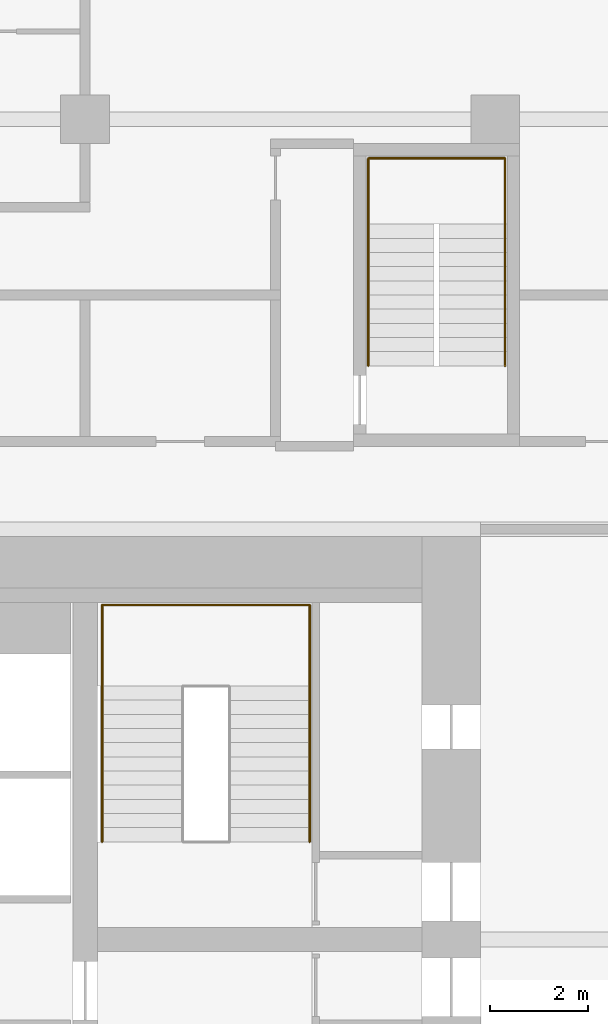
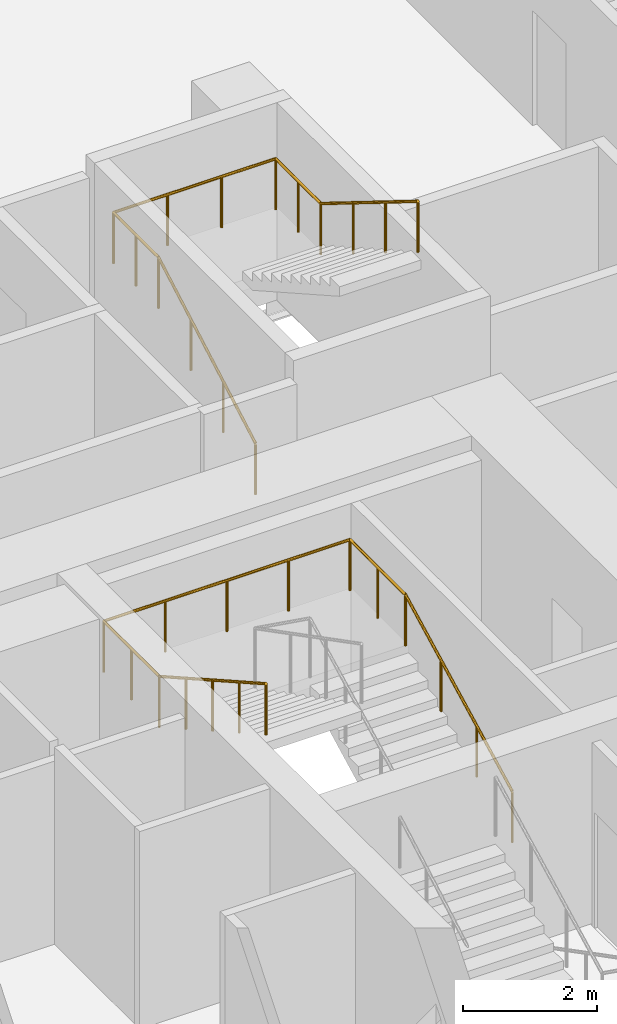
# One storey, part 25 of 25: 2 railings.
"""IFC4 building model written with IfcOpenShell, lengths in metres."""

from ifc_helpers import new_model, si_unit, direction, frame, origin, origin_2d, place, context, subcontext, project, spatial, circle, extrude, material, type_object, element, save


model = new_model("IFC4")

# Units and contexts
model_context = context("Model", 3, precision=1e-05, world=origin(), true_north=direction((0.0, 1.0)))
body_context = subcontext(model_context, "Body", "Model", "MODEL_VIEW")
ifc_project = project(units=[si_unit("LENGTHUNIT", "METRE"), si_unit("AREAUNIT", "SQUARE_METRE"), si_unit("VOLUMEUNIT", "CUBIC_METRE"), si_unit("PLANEANGLEUNIT", "RADIAN"), si_unit("MASSUNIT", "GRAM", prefix="KILO")], contexts=[model_context])

# Site, building, storey
site_placement = place(None, origin())
site = spatial("IfcSite", under=ifc_project, at=site_placement, CompositionType="ELEMENT")
building_placement = place(site_placement, origin())
building = spatial("IfcBuilding", under=site, at=building_placement, Name="Marenta Gate Hotel Tower", CompositionType="ELEMENT")
storey_placement = place(building_placement, frame((0.0, 0.0, 50.89990234375)))
storey = spatial("IfcBuildingStorey", under=building, at=storey_placement, Name="L10", CompositionType="ELEMENT", Elevation=50.89990234375)

# Railings
ifc_material = material(Name="Stainless steel", Category="steel")
railing_type = type_object("IfcRailingType", Name="Core stair handrail 950", PredefinedType="HANDRAIL", material=ifc_material)
railing_1_placement = place(storey_placement, frame((8.800048828125, 10.39990234375, 0.150146484375)))
element("IfcRailing", 1, at=railing_1_placement, inside=storey, type_object=railing_type, Name="HR-950 L10-KR-ST4-1", PredefinedType="HANDRAIL", context=body_context, shape_type="SweptSolid", body=[
    extrude(circle(Radius=0.02392578125, at=origin_2d()), frame((0.0, 0.0, 0.92578125), z_axis=(0.0, 0.888239641807, 0.459380385653), x_axis=(-1.0, 0.0, 0.0)), (0.0, 0.0, 1.0), 3.591552734375),
    extrude(circle(Radius=0.02392578125, at=origin_2d()), frame((0.0, 3.190185546875, 2.57568359375), z_axis=(0.0, 1.0, 0.0), x_axis=(-1.0, 0.0, 0.0)), (0.0, 0.0, 1.0), 1.659912109375),
    extrude(circle(Radius=0.02392578125, at=origin_2d()), frame((0.0, 4.85009765625, 2.57568359375), z_axis=(-1.0, 0.0, 0.0), x_axis=(0.0, -1.0, 0.0)), (0.0, 0.0, 1.0), 4.25),
    extrude(circle(Radius=0.02392578125, at=origin_2d()), frame((-4.25, 4.85009765625, 2.57568359375), z_axis=(0.0, -1.0, 0.0), x_axis=(1.0, 0.0, 0.0)), (0.0, 0.0, 1.0), 1.659912109375),
    extrude(circle(Radius=0.02392578125, at=origin_2d()), frame((-4.25, 3.190185546875, 2.57568359375), z_axis=(0.0, -0.870925075533, 0.491415824742), x_axis=(1.0, 0.0, 0.0)), (0.0, 0.0, 1.0), 3.6630859375),
    extrude(circle(Radius=0.02099609375, at=origin_2d()), origin(), (0.0, 0.0, 1.0), 0.90185546875),
    extrude(circle(Radius=0.02099609375, at=origin_2d()), frame((0.0, 1.0634765625, 0.550048828125)), (0.0, 0.0, 1.0), 0.90185546875),
    extrude(circle(Radius=0.02099609375, at=origin_2d()), frame((0.0, 2.126708984375, 1.099853515625)), (0.0, 0.0, 1.0), 0.90185546875),
    extrude(circle(Radius=0.02099609375, at=origin_2d()), frame((0.0, 3.190185546875, 1.64990234375)), (0.0, 0.0, 1.0), 0.90185546875),
    extrude(circle(Radius=0.02099609375, at=origin_2d()), frame((0.0, 4.02001953125, 1.64990234375)), (0.0, 0.0, 1.0), 0.90185546875),
    extrude(circle(Radius=0.02099609375, at=origin_2d()), frame((0.0, 4.85009765625, 1.64990234375)), (0.0, 0.0, 1.0), 0.90185546875),
    extrude(circle(Radius=0.02099609375, at=origin_2d()), frame((-1.0625, 4.85009765625, 1.64990234375)), (0.0, 0.0, 1.0), 0.90185546875),
    extrude(circle(Radius=0.02099609375, at=origin_2d()), frame((-2.125, 4.85009765625, 1.64990234375)), (0.0, 0.0, 1.0), 0.90185546875),
    extrude(circle(Radius=0.02099609375, at=origin_2d()), frame((-3.1875, 4.85009765625, 1.64990234375)), (0.0, 0.0, 1.0), 0.90185546875),
    extrude(circle(Radius=0.02099609375, at=origin_2d()), frame((-4.25, 4.85009765625, 1.64990234375)), (0.0, 0.0, 1.0), 0.90185546875),
    extrude(circle(Radius=0.02099609375, at=origin_2d()), frame((-4.25, 4.02001953125, 1.64990234375)), (0.0, 0.0, 1.0), 0.90185546875),
    extrude(circle(Radius=0.02099609375, at=origin_2d()), frame((-4.25, 3.190185546875, 1.64990234375)), (0.0, 0.0, 1.0), 0.90185546875),
    extrude(circle(Radius=0.02099609375, at=origin_2d()), frame((-4.25, 2.392578125, 2.099853515625)), (0.0, 0.0, 1.0), 0.90185546875),
    extrude(circle(Radius=0.02099609375, at=origin_2d()), frame((-4.25, 1.59521484375, 2.5498046875)), (0.0, 0.0, 1.0), 0.90185546875),
    extrude(circle(Radius=0.02099609375, at=origin_2d()), frame((-4.25, 0.797607421875, 3.0)), (0.0, 0.0, 1.0), 0.90185546875),
    extrude(circle(Radius=0.02099609375, at=origin_2d()), frame((-4.25, 0.0, 3.449951171875)), (0.0, 0.0, 1.0), 0.90185546875),
])
railing_2_placement = place(storey_placement, frame((10.0, 20.14990234375, 0.163818359375)))
element("IfcRailing", 2, at=railing_2_placement, inside=storey, type_object=railing_type, Name="HR-950 L10-RS-Z1-4-KR-1", PredefinedType="HANDRAIL", context=body_context, shape_type="SweptSolid", body=[
    extrude(circle(Radius=0.02392578125, at=origin_2d()), frame((0.0, 0.0, 0.92578125), z_axis=(0.0, 0.870946286338, 0.49137823142), x_axis=(-1.0, 0.0, 0.0)), (0.0, 0.0, 1.0), 3.329833984375),
    extrude(circle(Radius=0.02392578125, at=origin_2d()), frame((0.0, 2.900146484375, 2.56201171875), z_axis=(0.0, 1.0, 0.0), x_axis=(-1.0, 0.0, 0.0)), (0.0, 0.0, 1.0), 1.349853515625),
    extrude(circle(Radius=0.02392578125, at=origin_2d()), frame((0.0, 4.25, 2.56201171875), z_axis=(1.0, 0.0, 0.0), x_axis=(0.0, 1.0, 0.0)), (0.0, 0.0, 1.0), 2.800048828125),
    extrude(circle(Radius=0.02392578125, at=origin_2d()), frame((2.800048828125, 4.25, 2.56201171875), z_axis=(0.0, -1.0, 0.0), x_axis=(1.0, 0.0, 0.0)), (0.0, 0.0, 1.0), 1.349853515625),
    extrude(circle(Radius=0.02392578125, at=origin_2d()), frame((2.800048828125, 2.900146484375, 2.56201171875), z_axis=(0.0, -0.849645691689, 0.527353959494), x_axis=(1.0, 0.0, 0.0)), (0.0, 0.0, 1.0), 3.413330078125),
    extrude(circle(Radius=0.02099609375, at=origin_2d()), origin(), (0.0, 0.0, 1.0), 0.90185546875),
    extrude(circle(Radius=0.02099609375, at=origin_2d()), frame((0.0, 0.966796875, 0.54541015625)), (0.0, 0.0, 1.0), 0.90185546875),
    extrude(circle(Radius=0.02099609375, at=origin_2d()), frame((0.0, 1.933349609375, 1.0908203125)), (0.0, 0.0, 1.0), 0.90185546875),
    extrude(circle(Radius=0.02099609375, at=origin_2d()), frame((0.0, 2.900146484375, 1.63623046875)), (0.0, 0.0, 1.0), 0.90185546875),
    extrude(circle(Radius=0.02099609375, at=origin_2d()), frame((0.0, 3.5751953125, 1.63623046875)), (0.0, 0.0, 1.0), 0.90185546875),
    extrude(circle(Radius=0.02099609375, at=origin_2d()), frame((0.0, 4.25, 1.63623046875)), (0.0, 0.0, 1.0), 0.90185546875),
    extrude(circle(Radius=0.02099609375, at=origin_2d()), frame((0.933349609375, 4.25, 1.63623046875)), (0.0, 0.0, 1.0), 0.90185546875),
    extrude(circle(Radius=0.02099609375, at=origin_2d()), frame((1.86669921875, 4.25, 1.63623046875)), (0.0, 0.0, 1.0), 0.90185546875),
    extrude(circle(Radius=0.02099609375, at=origin_2d()), frame((2.800048828125, 4.25, 1.63623046875)), (0.0, 0.0, 1.0), 0.90185546875),
    extrude(circle(Radius=0.02099609375, at=origin_2d()), frame((2.800048828125, 3.5751953125, 1.63623046875)), (0.0, 0.0, 1.0), 0.90185546875),
    extrude(circle(Radius=0.02099609375, at=origin_2d()), frame((2.800048828125, 2.900146484375, 1.63623046875)), (0.0, 0.0, 1.0), 0.90185546875),
    extrude(circle(Radius=0.02099609375, at=origin_2d()), frame((2.800048828125, 1.933349609375, 2.236328125)), (0.0, 0.0, 1.0), 0.90185546875),
    extrude(circle(Radius=0.02099609375, at=origin_2d()), frame((2.800048828125, 0.966796875, 2.836181640625)), (0.0, 0.0, 1.0), 0.90185546875),
    extrude(circle(Radius=0.02099609375, at=origin_2d()), frame((2.800048828125, 0.0, 3.436279296875)), (0.0, 0.0, 1.0), 0.90185546875),
])

save(model, "model.ifc")
